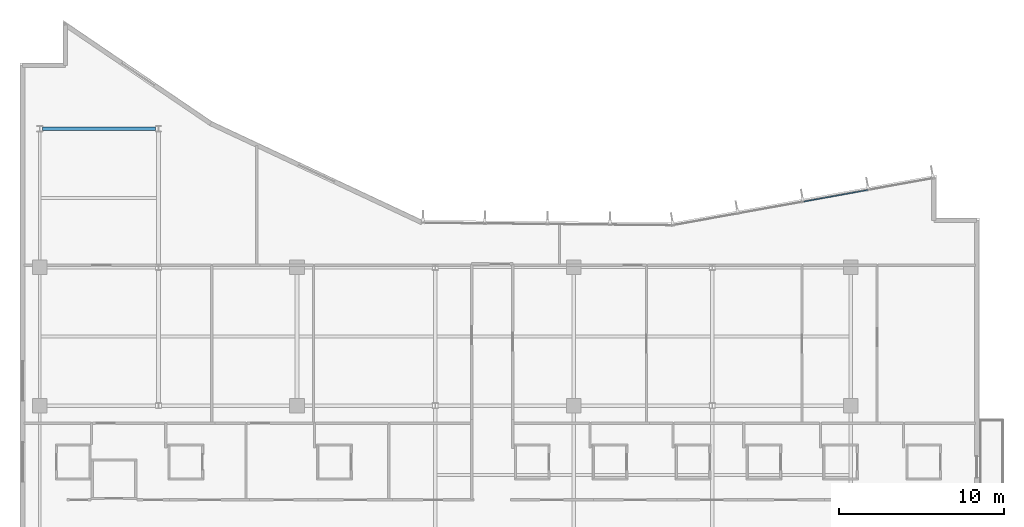
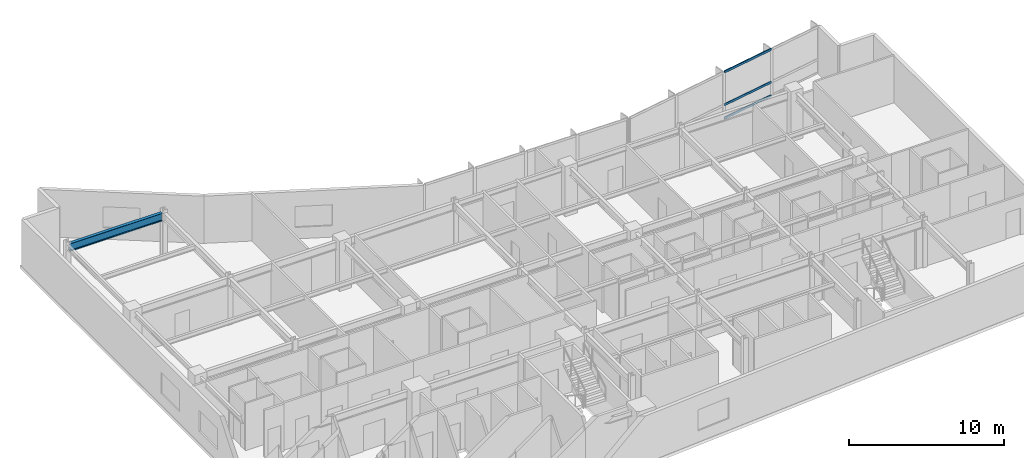
# One storey, part 7 of 19: 3 members, 1 beam, 1 element without a shape of its own.
"""IFC4 building model written with IfcOpenShell, lengths in metres."""

from ifc_helpers import new_model, si_unit, direction, frame, origin, origin_2d, place, context, subcontext, project, spatial, hollow_rectangle, i_section, extrude, material, layer, layer_set, material_profile, profile_set, type_object, element, aggregate, save


model = new_model("IFC4")

# Units and contexts
model_context = context("Model", 3, precision=1e-05, world=origin(), true_north=direction((0.0, 1.0)))
body_context = subcontext(model_context, "Body", "Model", "MODEL_VIEW")
ifc_project = project(units=[si_unit("LENGTHUNIT", "METRE"), si_unit("AREAUNIT", "SQUARE_METRE"), si_unit("VOLUMEUNIT", "CUBIC_METRE"), si_unit("PLANEANGLEUNIT", "RADIAN"), si_unit("MASSUNIT", "GRAM", prefix="KILO")], contexts=[model_context])

# Site, building, storey
site_placement = place(None, origin())
site = spatial("IfcSite", under=ifc_project, at=site_placement, CompositionType="ELEMENT")
building_placement = place(site_placement, origin())
building = spatial("IfcBuilding", under=site, at=building_placement, Name="Varnakote Quay Hospital", CompositionType="ELEMENT")
storey_placement = place(building_placement, frame((0.0, 0.0, 50.14990234375)))
storey = spatial("IfcBuildingStorey", under=building, at=storey_placement, Name="L12", CompositionType="ELEMENT", Elevation=50.14990234375)

# Beam
ifc_material_1 = material(Name="Structural steel AS/NZS 3679.1 Grade 350 L0 (fy 340 MPa)", Category="steel")
ifc_material_profile_1 = material_profile(ifc_material_1, i_section(OverallWidth=0.22900390625, OverallDepth=0.612060546875, WebThickness=0.011962890625, FlangeThickness=0.01953125, FilletRadius=0.013916015625, at=origin_2d()), Name="610UB125")
ifc_profile_set_1 = profile_set([ifc_material_profile_1], Name="Structural steel AS/NZS 3679.1 Grade 350 L0 (fy 340 MPa)")
beam_type = type_object("IfcBeamType", Name="BM-STL-610UB125", PredefinedType="BEAM", material=ifc_profile_set_1)
beam_placement = place(storey_placement, frame((1.375, 37.199951171875, 3.404052734375), z_axis=(1.0, 0.0, 0.0), x_axis=(0.0, 1.0, 0.0)))
element("IfcBeam", 1, at=beam_placement, inside=storey, type_object=beam_type, Name="L12 Primary Floor Beam", PredefinedType="BEAM", context=body_context, shape_type="SweptSolid", body=[
    extrude(i_section(OverallWidth=0.22900390625, OverallDepth=0.612060546875, WebThickness=0.011962890625, FlangeThickness=0.01953125, FilletRadius=0.013916015625, at=origin_2d()), origin(), (0.0, 0.0, 1.0), 6.85009765625),
])

# Curtain wall, members
ifc_material_2 = material(Name="Anodised aluminium 6063-T6 Bronze", Category="aluminium")
ifc_layer = layer(ifc_material_2, 0.18994140625)
ifc_layer_set = layer_set([ifc_layer], Name="Anodised aluminium 6063-T6 Bronze")
curtain_wall_type = type_object("IfcCurtainWallType", Name="CW-SYS-2", PredefinedType="NOTDEFINED", material=ifc_layer_set)
curtain_wall_placement = place(storey_placement, origin())
curtain_wall = element("IfcCurtainWall", 2, at=curtain_wall_placement, inside=storey, type_object=curtain_wall_type, Name="L12 Unitised Bronze Curtain Wall 1", PredefinedType="NOTDEFINED")
ifc_material_3 = material(Name="Anodised aluminium 6063-T6 Bronze", Category="aluminium")
ifc_material_profile_2 = material_profile(ifc_material_3, hollow_rectangle(XDim=0.074951171875, YDim=0.179931640625, WallThickness=0.004150390625, InnerFilletRadius=0.004150390625, OuterFilletRadius=0.00830078125, at=origin_2d()), Name="CW-TRAN-180x75")
ifc_profile_set_2 = profile_set([ifc_material_profile_2], Name="Anodised aluminium 6063-T6 Bronze")
member_type = type_object("IfcMemberType", Name="CW-TRAN-180x75", PredefinedType="USERDEFINED", material=ifc_profile_set_2)
member_1_placement = place(storey_placement, frame((51.4404296875, 33.485595703125, 0.03759765625), z_axis=(-0.984065046829, -0.177808840079, 0.0), x_axis=(0.177808840079, -0.984065046829, 0.0)))
member_1 = element("IfcMember", 3, at=member_1_placement, type_object=member_type, Name="-2-L12-1 transom 2.1", ObjectType="TRANSOM", PredefinedType="USERDEFINED", context=body_context, shape_type="SweptSolid", body=[
    extrude(hollow_rectangle(XDim=0.074951171875, YDim=0.179931640625, WallThickness=0.004150390625, InnerFilletRadius=0.004150390625, OuterFilletRadius=0.00830078125, at=origin_2d()), origin(), (0.0, 0.0, 1.0), 3.95166015625),
])
member_2_placement = place(storey_placement, frame((51.4404296875, 33.485595703125, 1.10009765625), z_axis=(-0.984065046829, -0.177808840079, 0.0), x_axis=(0.177808840079, -0.984065046829, 0.0)))
member_2 = element("IfcMember", 4, at=member_2_placement, type_object=member_type, Name="-2-L12-1 transom 2.2", ObjectType="TRANSOM", PredefinedType="USERDEFINED", context=body_context, shape_type="SweptSolid", body=[
    extrude(hollow_rectangle(XDim=0.074951171875, YDim=0.179931640625, WallThickness=0.004150390625, InnerFilletRadius=0.004150390625, OuterFilletRadius=0.00830078125, at=origin_2d()), origin(), (0.0, 0.0, 1.0), 3.95166015625),
])
member_3_placement = place(storey_placement, frame((51.4404296875, 33.485595703125, 3.672607421875), z_axis=(-0.984065046829, -0.177808840079, 0.0), x_axis=(0.177808840079, -0.984065046829, 0.0)))
member_3 = element("IfcMember", 5, at=member_3_placement, type_object=member_type, Name="-2-L12-1 transom 2.3", ObjectType="TRANSOM", PredefinedType="USERDEFINED", context=body_context, shape_type="SweptSolid", body=[
    extrude(hollow_rectangle(XDim=0.074951171875, YDim=0.179931640625, WallThickness=0.004150390625, InnerFilletRadius=0.004150390625, OuterFilletRadius=0.00830078125, at=origin_2d()), origin(), (0.0, 0.0, 1.0), 3.95166015625),
])
aggregate(curtain_wall, [member_1, member_2, member_3])

save(model, "model.ifc")
